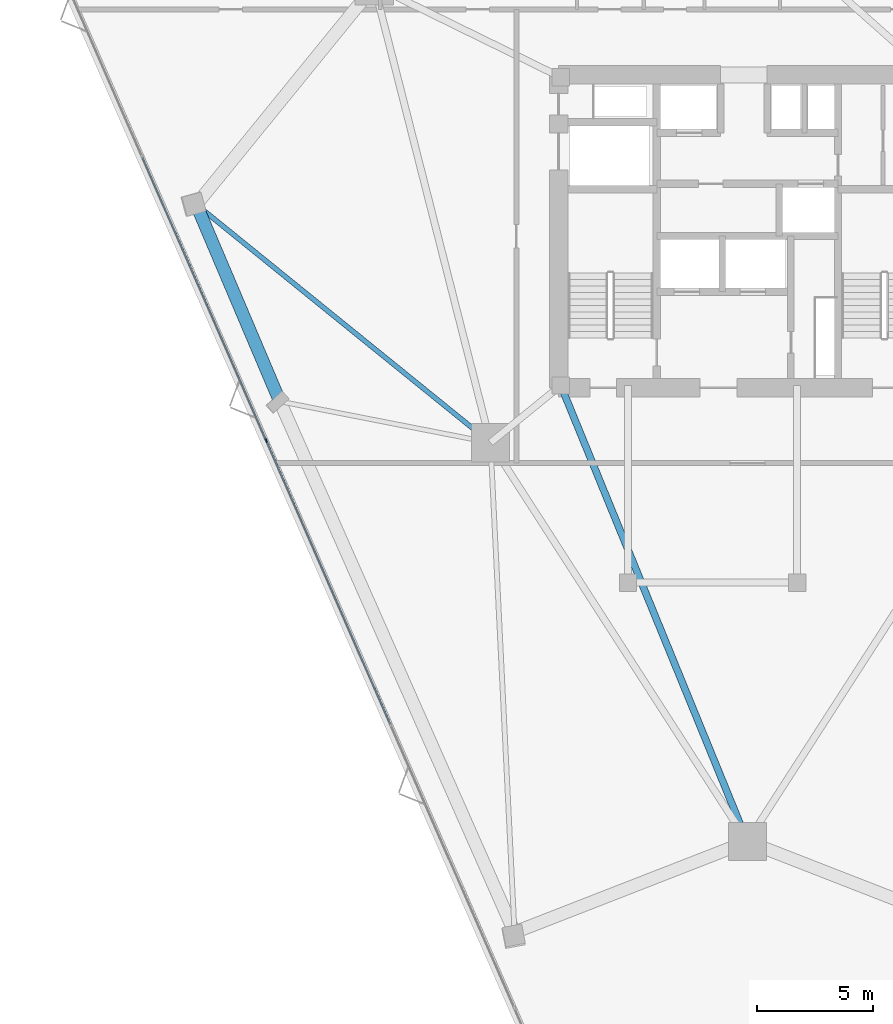
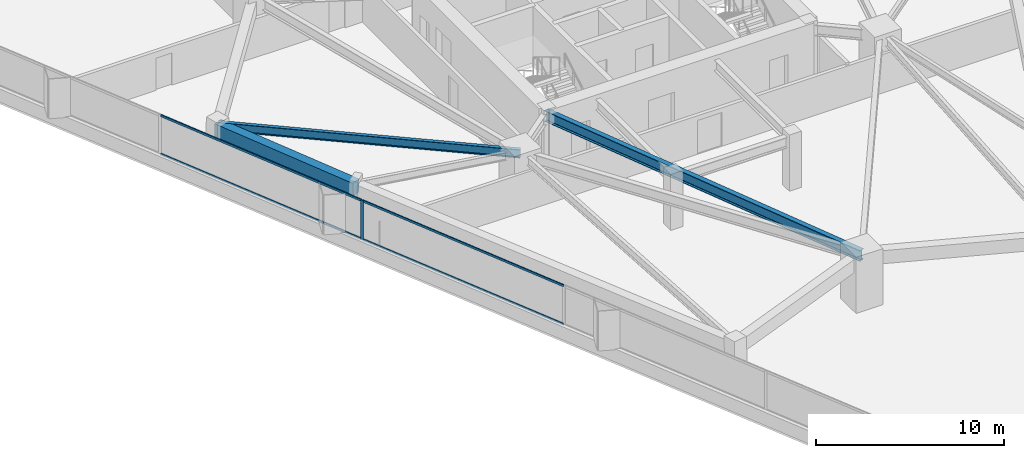
# One storey, part 5 of 19: 5 members, 3 beams, 1 element without a shape of its own.
"""IFC4 building model written with IfcOpenShell, lengths in metres."""

from ifc_helpers import new_model, si_unit, direction, frame, origin, origin_2d, place, context, subcontext, project, spatial, rectangle, i_section, extrude, material, layer, layer_set, material_profile, profile_set, type_object, element, aggregate, save


model = new_model("IFC4")

# Units and contexts
model_context = context("Model", 3, precision=1e-05, world=origin(), true_north=direction((0.0, 1.0)))
body_context = subcontext(model_context, "Body", "Model", "MODEL_VIEW")
ifc_project = project(units=[si_unit("LENGTHUNIT", "METRE"), si_unit("AREAUNIT", "SQUARE_METRE"), si_unit("VOLUMEUNIT", "CUBIC_METRE"), si_unit("PLANEANGLEUNIT", "RADIAN"), si_unit("MASSUNIT", "GRAM", prefix="KILO")], contexts=[model_context])

# Site, building, storey
site_placement = place(None, origin())
site = spatial("IfcSite", under=ifc_project, at=site_placement, CompositionType="ELEMENT")
building_placement = place(site_placement, origin())
building = spatial("IfcBuilding", under=site, at=building_placement, Name="Talyreon Biosciences Tower", CompositionType="ELEMENT")
storey_placement = place(building_placement, frame((0.0, 0.0, 85.949951171875)))
storey = spatial("IfcBuildingStorey", under=building, at=storey_placement, Name="L22", CompositionType="ELEMENT", Elevation=85.949951171875)

# Curtain wall, members
ifc_material_1 = material(Name="Thermally broken aluminium and low-E glazing", Category="aluminium")
ifc_layer = layer(ifc_material_1, 0.18994140625)
ifc_layer_set = layer_set([ifc_layer], Name="Thermally broken aluminium and low-E glazing")
curtain_wall_type = type_object("IfcCurtainWallType", Name="CurtainWall_Zone2Genomics", PredefinedType="NOTDEFINED", material=ifc_layer_set)
curtain_wall_placement = place(storey_placement, origin())
curtain_wall = element("IfcCurtainWall", 1, at=curtain_wall_placement, inside=storey, type_object=curtain_wall_type, Name="L22 Unitised Curtain Wall FCW-L22-00", PredefinedType="NOTDEFINED")
ifc_material_2 = material(Name="Anodised thermally broken aluminium", Category="aluminium")
ifc_material_profile_1 = material_profile(ifc_material_2, rectangle(XDim=0.06494140625, YDim=0.179931640625, at=origin_2d()), Name="ALUM MULLION 65x180")
ifc_profile_set_1 = profile_set([ifc_material_profile_1], Name="Anodised thermally broken aluminium")
member_type_1 = type_object("IfcMemberType", Name="CWMullion_65x180", PredefinedType="MULLION", material=ifc_profile_set_1)
member_1_placement = place(storey_placement, frame((45.23828125, 58.970703125, 0.81005859375), z_axis=(0.0, 0.0, 1.0), x_axis=(-0.916213942072, -0.400689421314, 0.0)))
member_1 = element("IfcMember", 2, at=member_1_placement, type_object=member_type_1, Name="CW3 mullion 4", PredefinedType="MULLION", context=body_context, shape_type="SweptSolid", body=[
    extrude(rectangle(XDim=0.06494140625, YDim=0.179931640625, at=origin_2d()), origin(), (0.0, 0.0, 1.0), 2.56494140625),
])
ifc_material_profile_2 = material_profile(ifc_material_2, rectangle(XDim=0.06494140625, YDim=0.139892578125, at=origin_2d()), Name="ALUM TRANSOM 65x140")
ifc_profile_set_2 = profile_set([ifc_material_profile_2], Name="Anodised thermally broken aluminium")
member_type_2 = type_object("IfcMemberType", Name="CWTransom_65x140", PredefinedType="USERDEFINED", material=ifc_profile_set_2)
member_2_placement = place(storey_placement, frame((50.58203125, 46.751220703125, 0.842529296875), z_axis=(-0.400681171348, 0.91621755, 0.0), x_axis=(-0.91621755, -0.400681171348, 0.0)))
member_2 = element("IfcMember", 3, at=member_2_placement, type_object=member_type_2, Name="CW3 transom 3.1", ObjectType="TRANSOM", PredefinedType="USERDEFINED", context=body_context, shape_type="SweptSolid", body=[
    extrude(rectangle(XDim=0.06494140625, YDim=0.139892578125, at=origin_2d()), origin(), (0.0, 0.0, 1.0), 13.304443359375),
])
member_3_placement = place(storey_placement, frame((50.58203125, 46.751220703125, 3.342529296875), z_axis=(-0.400681171348, 0.91621755, 0.0), x_axis=(-0.91621755, -0.400681171348, 0.0)))
member_3 = element("IfcMember", 4, at=member_3_placement, type_object=member_type_2, Name="CW3 transom 3.2", ObjectType="TRANSOM", PredefinedType="USERDEFINED", context=body_context, shape_type="SweptSolid", body=[
    extrude(rectangle(XDim=0.06494140625, YDim=0.139892578125, at=origin_2d()), origin(), (0.0, 0.0, 1.0), 13.304443359375),
])
member_4_placement = place(storey_placement, frame((45.22509765625, 59.00048828125, 0.842529296875), z_axis=(-0.40068790809, 0.916214603852, 0.0), x_axis=(-0.916214603852, -0.40068790809, 0.0)))
member_4 = element("IfcMember", 5, at=member_4_placement, type_object=member_type_2, Name="CW3 transom 4.1", ObjectType="TRANSOM", PredefinedType="USERDEFINED", context=body_context, shape_type="SweptSolid", body=[
    extrude(rectangle(XDim=0.06494140625, YDim=0.139892578125, at=origin_2d()), origin(), (0.0, 0.0, 1.0), 13.30419921875),
])
member_5_placement = place(storey_placement, frame((45.22509765625, 59.00048828125, 3.342529296875), z_axis=(-0.40068790809, 0.916214603852, 0.0), x_axis=(-0.916214603852, -0.40068790809, 0.0)))
member_5 = element("IfcMember", 6, at=member_5_placement, type_object=member_type_2, Name="CW3 transom 4.2", ObjectType="TRANSOM", PredefinedType="USERDEFINED", context=body_context, shape_type="SweptSolid", body=[
    extrude(rectangle(XDim=0.06494140625, YDim=0.139892578125, at=origin_2d()), origin(), (0.0, 0.0, 1.0), 13.30419921875),
])
aggregate(curtain_wall, [member_1, member_2, member_3, member_4, member_5])

# Beams
ifc_material_3 = material(Name="Precast concrete C45/55", Category="concrete")
ifc_material_profile_3 = material_profile(ifc_material_3, rectangle(XDim=0.550048828125, YDim=0.85009765625, at=origin_2d()), Name="RCB 550x850")
ifc_profile_set_3 = profile_set([ifc_material_profile_3], Name="Precast concrete C45/55")
beam_type_1 = type_object("IfcBeamType", Name="ExpressedSpandrel_550x850", PredefinedType="SPANDREL", material=ifc_profile_set_3)
beam_1_placement = place(storey_placement, frame((42.21923828125, 69.156982421875, 2.949951171875), z_axis=(0.390647666723, -0.920540276405, 0.0), x_axis=(0.920540276405, 0.390647666723, 0.0)))
element("IfcBeam", 7, at=beam_1_placement, inside=storey, type_object=beam_type_1, Name="L22 Expressed Horizontal Concrete Spandrel 10", PredefinedType="SPANDREL", context=body_context, shape_type="SweptSolid", body=[
    extrude(rectangle(XDim=0.550048828125, YDim=0.85009765625, at=origin_2d()), origin(), (0.0, 0.0, 1.0), 9.2294921875),
])
ifc_material_4 = material(Name="Steel SM355", Category="steel")
ifc_material_profile_4 = material_profile(ifc_material_4, i_section(OverallWidth=0.300048828125, OverallDepth=0.699951171875, WebThickness=0.01708984375, FlangeThickness=0.031982421875, FilletRadius=0.027099609375, at=origin_2d()), Name="HE700B")
ifc_profile_set_4 = profile_set([ifc_material_profile_4], Name="Steel SM355")
beam_type_2 = type_object("IfcBeamType", Name="SteelGirder_HE700B", PredefinedType="BEAM", material=ifc_profile_set_4)
beam_2_placement = place(storey_placement, frame((57.949951171875, 61.35009765625, 3.025146484375), z_axis=(0.378547014545, -0.925582064314, 0.0), x_axis=(0.925582064314, 0.378547014545, 0.0)))
element("IfcBeam", 8, at=beam_2_placement, inside=storey, type_object=beam_type_2, Name="L22 Radial Primary Girder 1", PredefinedType="BEAM", context=body_context, shape_type="SweptSolid", body=[
    extrude(i_section(OverallWidth=0.300048828125, OverallDepth=0.699951171875, WebThickness=0.01708984375, FlangeThickness=0.031982421875, FilletRadius=0.027099609375, at=origin_2d()), origin(), (0.0, 0.0, 1.0), 21.265625),
])
ifc_material_profile_5 = material_profile(ifc_material_4, i_section(OverallWidth=0.2099609375, OverallDepth=0.550048828125, WebThickness=0.010986328125, FlangeThickness=0.01708984375, FilletRadius=0.02392578125, at=origin_2d()), Name="IPE550")
ifc_profile_set_5 = profile_set([ifc_material_profile_5], Name="Steel SM355")
beam_type_3 = type_object("IfcBeamType", Name="SteelJoist_IPE550", PredefinedType="JOIST", material=ifc_profile_set_5)
beam_3_placement = place(storey_placement, frame((54.913818359375, 58.88037109375, 3.10009765625), z_axis=(-0.777243478303, 0.629199948693, 0.0), x_axis=(-0.629199948693, -0.777243478303, 0.0)))
element("IfcBeam", 9, at=beam_3_placement, inside=storey, type_object=beam_type_3, Name="L22 Radial Composite Floor Joist PC-SW1", PredefinedType="JOIST", context=body_context, shape_type="SweptSolid", body=[
    extrude(i_section(OverallWidth=0.2099609375, OverallDepth=0.550048828125, WebThickness=0.010986328125, FlangeThickness=0.01708984375, FilletRadius=0.02392578125, at=origin_2d()), origin(), (0.0, 0.0, 1.0), 16.332763671875),
])

save(model, "model.ifc")
